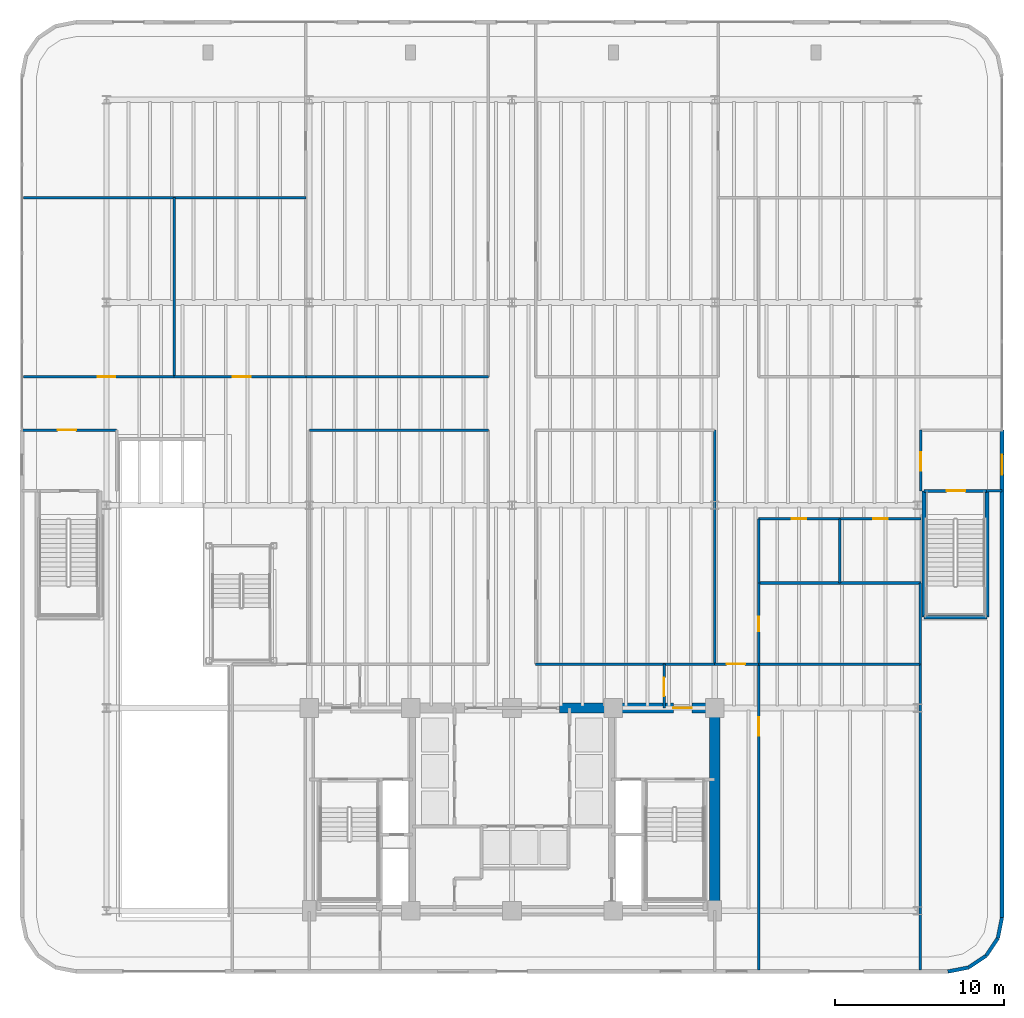
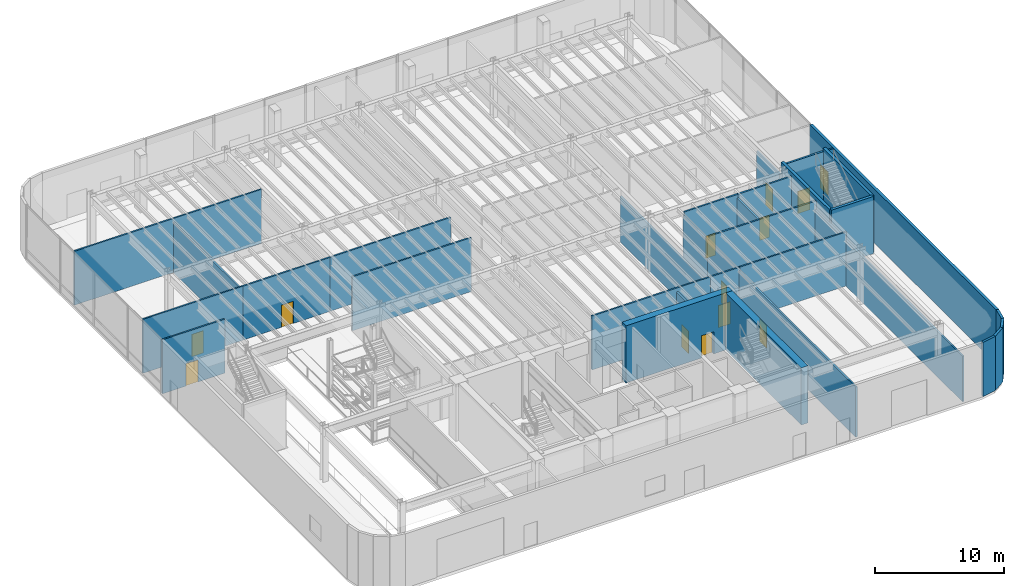
# One storey, part 9 of 17: 34 walls, 13 doors, 13 openings.
"""IFC4 building model written with IfcOpenShell, lengths in metres."""

from ifc_helpers import new_model, si_unit, direction, frame, frame_2d, origin, origin_2d, place, context, subcontext, project, spatial, rectangle, extrude, source, transform, mapped, material, layer, layer_set, type_object, element, fill, save


model = new_model("IFC4")

# Units and contexts
model_context = context("Model", 3, precision=1e-05, world=origin(), true_north=direction((0.0, 1.0)))
body_context = subcontext(model_context, "Body", "Model", "MODEL_VIEW")
ifc_project = project(units=[si_unit("LENGTHUNIT", "METRE"), si_unit("AREAUNIT", "SQUARE_METRE"), si_unit("VOLUMEUNIT", "CUBIC_METRE"), si_unit("PLANEANGLEUNIT", "RADIAN"), si_unit("MASSUNIT", "GRAM", prefix="KILO")], contexts=[model_context])

# Site, building, storey
site_placement = place(None, origin())
site = spatial("IfcSite", under=ifc_project, at=site_placement, CompositionType="ELEMENT")
building_placement = place(site_placement, origin())
building = spatial("IfcBuilding", under=site, at=building_placement, Name="Brelvock Crest Care Tower", CompositionType="ELEMENT")
storey_placement = place(building_placement, origin())
storey = spatial("IfcBuildingStorey", under=building, at=storey_placement, Name="L00", CompositionType="ELEMENT", Elevation=0.0)

# Wall
ifc_material_1 = material(Name="Concrete S80 (80 MPa)", Category="concrete")
ifc_layer_1 = layer(ifc_material_1, 0.60009765625, Name="WL-CS1")
ifc_layer_set_1 = layer_set([ifc_layer_1], Name="Concrete S80 (80 MPa)")
wall_type_1 = type_object("IfcWallType", Name="WL-CS1", PredefinedType="SHEAR", material=ifc_layer_set_1)
wall_1_placement = place(storey_placement, frame((48.0, 18.0, 0.0), z_axis=(0.0, 0.0, 1.0), x_axis=(0.0, -1.0, 0.0)))
element("IfcWall", 1, at=wall_1_placement, inside=storey, type_object=wall_type_1, Name="L00 Core East Shear Wall", PredefinedType="SHEAR", context=body_context, shape_type="SweptSolid", body=[
    extrude(rectangle(XDim=12.0, YDim=0.60009765625, at=frame_2d((6.0, 0.0))), origin(), (0.0, 0.0, 1.0), 5.39990234375),
])

# Wall, opening, door
wall_2_placement = place(storey_placement, frame((38.800048828125, 18.0, 0.0), z_axis=(0.0, 0.0, 1.0), x_axis=(1.0, 0.0, 0.0)))
wall_2 = element("IfcWall", 2, at=wall_2_placement, inside=storey, type_object=wall_type_1, Name="L00 Core North-East Shear Wall", PredefinedType="SHEAR", context=body_context, shape_type="SweptSolid", body=[
    extrude(rectangle(XDim=9.5, YDim=0.60009765625, at=frame_2d((4.75, 0.0))), origin(), (0.0, 0.0, 1.0), 5.39990234375),
])
opening_1_placement = place(wall_2_placement, frame((6.75, 0.0, 0.0)))
opening_1 = element("IfcOpeningElement", 3, at=opening_1_placement, cuts=wall_2, Name="Opening FD-1", PredefinedType="OPENING", context=body_context, shape_type="SweptSolid", body=[
    extrude(rectangle(XDim=1.10009765625, YDim=2.10009765625, at=origin_2d()), frame((0.550048828125, 0.31005859375, 1.050048828125), z_axis=(0.0, -1.0, 0.0), x_axis=(1.0, 0.0, 0.0)), (0.0, 0.0, 1.0), 0.6201171875),
])
ifc_material_2 = material(Name="Steel Grade 350", Category="steel")
door_type_1 = type_object("IfcDoorType", Name="DR-FFL1", OperationType="NOTDEFINED", PredefinedType="DOOR", material=ifc_material_2)
shared_shape_1 = source(origin(), body_context, "Body", "SweptSolid", [
    extrude(rectangle(XDim=1.10009765625, YDim=2.10009765625, at=origin_2d()), frame((0.550048828125, 0.02490234375, 1.050048828125), z_axis=(0.0, -1.0, 0.0), x_axis=(1.0, 0.0, 0.0)), (0.0, 0.0, 1.0), 0.050048828125),
])
door_1_placement = place(opening_1_placement, origin())
door_1 = element("IfcDoor", 4, at=door_1_placement, inside=storey, type_object=door_type_1, Name="L00 Firefighting Lobby FFL-2 Exit Door", OperationType="SINGLE_SWING_RIGHT", OverallHeight=2.10009765625, OverallWidth=1.10009765625, PredefinedType="DOOR", context=body_context, shape_type="MappedRepresentation", body=[
    mapped(shared_shape_1, transform((0.0, 0.0, 0.0), x_axis=(1.0, 0.0, 0.0), y_axis=(0.0, 1.0, 0.0), z_axis=(0.0, 0.0, 1.0), scale=1.0)),
])
fill(opening_1, door_1)

# Walls
ifc_layer_2 = layer(ifc_material_1, 0.25, Name="WL-CS6")
ifc_layer_set_2 = layer_set([ifc_layer_2], Name="Concrete S80 (80 MPa)")
wall_type_2 = type_object("IfcWallType", Name="WL-CS6", PredefinedType="SHEAR", material=ifc_layer_set_2)
wall_3_placement = place(storey_placement, frame((60.3798828125, 23.3798828125, 0.0), z_axis=(0.0, 0.0, 1.0), x_axis=(1.0, 0.0, 0.0)))
element("IfcWall", 5, at=wall_3_placement, inside=storey, type_object=wall_type_2, Name="L00 Podium Stair ST-4 South Shear Wall", PredefinedType="SHEAR", context=body_context, shape_type="SweptSolid", body=[
    extrude(rectangle(XDim=3.740234375, YDim=0.25, at=frame_2d((1.8701171875, 0.0))), origin(), (0.0, 0.0, 1.0), 5.39990234375),
])
for number, where, z_axis, x_axis, name in (
    (6, (60.3798828125, 23.3798828125, 0.0), (0.0, 0.0, 1.0), (0.0, 1.0, 0.0), "L00 Podium Stair ST-4 West Shear Wall"),
    (7, (64.1201171875, 23.3798828125, 0.0), (0.0, 0.0, 1.0), (0.0, 1.0, 0.0), "L00 Podium Stair ST-4 East Shear Wall"),
):
    element("IfcWall", number, at=place(storey_placement, frame(where, z_axis=z_axis, x_axis=x_axis)), inside=storey, type_object=wall_type_2, Name=name, PredefinedType="SHEAR", context=body_context, shape_type="SweptSolid", body=[
        extrude(rectangle(XDim=7.47021484375, YDim=0.25, at=frame_2d((3.735107421875, 0.0))), origin(), (0.0, 0.0, 1.0), 5.39990234375),
    ])

# Wall, opening, door
ifc_material_3 = material(Name="Precast concrete N40 (40 MPa)", Category="concrete")
ifc_layer_3 = layer(ifc_material_3, 0.239990234375, Name="WL-EX1")
ifc_layer_set_3 = layer_set([ifc_layer_3], Name="Precast concrete N40 (40 MPa)")
wall_type_3 = type_object("IfcWallType", Name="WL-EX1", PredefinedType="SOLIDWALL", material=ifc_layer_set_3)
wall_4_placement = place(storey_placement, frame((65.0, 34.449951171875, 0.0), z_axis=(0.0, 0.0, 1.0), x_axis=(0.0, -1.0, 0.0)))
wall_4 = element("IfcWall", 8, at=wall_4_placement, inside=storey, type_object=wall_type_3, Name="L00 Exterior Spandrel Wall WL-EX-L00-ES", PredefinedType="SOLIDWALL", context=body_context, shape_type="SweptSolid", body=[
    extrude(rectangle(XDim=28.849853515625, YDim=0.239990234375, at=frame_2d((14.4248046875, 0.0))), origin(), (0.0, 0.0, 1.0), 5.1201171875),
])
opening_2_placement = place(wall_4_placement, frame((1.449951171875, 0.0, 0.0)))
opening_2 = element("IfcOpeningElement", 9, at=opening_2_placement, cuts=wall_4, Name="Opening ED-2", PredefinedType="OPENING", context=body_context, shape_type="SweptSolid", body=[
    extrude(rectangle(XDim=1.199951171875, YDim=2.199951171875, at=origin_2d()), frame((0.60009765625, 0.1298828125, 1.10009765625), z_axis=(0.0, -1.0, 0.0), x_axis=(1.0, 0.0, 0.0)), (0.0, 0.0, 1.0), 0.260009765625),
])
ifc_material_4 = material(Name="Aluminium 6063-T6", Category="aluminium")
door_type_2 = type_object("IfcDoorType", Name="DR-EX2", OperationType="NOTDEFINED", PredefinedType="DOOR", material=ifc_material_4)
shared_shape_2 = source(origin(), body_context, "Body", "SweptSolid", [
    extrude(rectangle(XDim=1.199951171875, YDim=2.199951171875, at=origin_2d()), frame((0.60009765625, 0.02490234375, 1.10009765625), z_axis=(0.0, -1.0, 0.0), x_axis=(1.0, 0.0, 0.0)), (0.0, 0.0, 1.0), 0.050048828125),
])
door_2_placement = place(opening_2_placement, origin())
door_2 = element("IfcDoor", 10, at=door_2_placement, inside=storey, type_object=door_type_2, Name="L00 Podium Stair ST-4 Final Exit E6", OperationType="SINGLE_SWING_RIGHT", OverallHeight=2.199951171875, OverallWidth=1.199951171875, PredefinedType="DOOR", context=body_context, shape_type="MappedRepresentation", body=[
    mapped(shared_shape_2, transform((0.0, 0.0, 0.0), x_axis=(1.0, 0.0, 0.0), y_axis=(0.0, 1.0, 0.0), z_axis=(0.0, 0.0, 1.0), scale=1.0)),
])
fill(opening_2, door_2)

# Walls
ifc_layer_4 = layer(ifc_material_3, 0.215087890625, Name="WL-EX2")
ifc_layer_set_4 = layer_set([ifc_layer_4], Name="Precast concrete N40 (40 MPa)")
wall_type_4 = type_object("IfcWallType", Name="WL-EX2", PredefinedType="SOLIDWALL", material=ifc_layer_set_4)
for number, where, z_axis, x_axis, name in (
    (11, (65.0, 5.60009765625, 0.0), (0.0, 0.0, 1.0), (-0.195138390419, -0.980775717779, 0.0), "L00 Corner Pier 15"),
    (12, (64.75634765625, 4.37548828125, 0.0), (0.0, 0.0, 1.0), (-0.555557312883, -0.831478245117, 0.0), "L00 Corner Pier 16"),
    (13, (64.062744140625, 3.33740234375, 0.0), (0.0, 0.0, 1.0), (-0.831387912822, -0.555692485475, 0.0), "L00 Corner Pier 17"),
    (14, (63.024658203125, 2.6435546875, 0.0), (0.0, 0.0, 1.0), (-0.980775717779, -0.195138390419, 0.0), "L00 Corner Pier 18"),
):
    element("IfcWall", number, at=place(storey_placement, frame(where, z_axis=z_axis, x_axis=x_axis)), inside=storey, type_object=wall_type_4, Name=name, PredefinedType="SOLIDWALL", context=body_context, shape_type="SweptSolid", body=[
        extrude(rectangle(XDim=1.24853515625, YDim=0.215087890625, at=frame_2d((0.624267578125, 0.0))), origin(), (0.0, 0.0, 1.0), 5.1201171875),
    ])
ifc_material_5 = material(Name="Masonry Blockwork Acoustic Partition", Category="masonry")
ifc_layer_5 = layer(ifc_material_5, 0.14990234375, Name="WL-INT1")
ifc_layer_set_5 = layer_set([ifc_layer_5], Name="Masonry Blockwork Acoustic Partition")
wall_type_5 = type_object("IfcWallType", Name="WL-INT1", PredefinedType="PARTITIONING", material=ifc_layer_set_5)
wall_5_placement = place(storey_placement, frame((37.39990234375, 20.60009765625, 0.0), z_axis=(0.0, 0.0, 1.0), x_axis=(1.0, 0.0, 0.0)))
element("IfcWall", 15, at=wall_5_placement, inside=storey, type_object=wall_type_5, Name="L00 Interior Wall WL-BX-L00-ADM-S", PredefinedType="PARTITIONING", context=body_context, shape_type="SweptSolid", body=[
    extrude(rectangle(XDim=10.60009765625, YDim=0.14990234375, at=frame_2d((5.300048828125, 0.0))), origin(), (0.0, 0.0, 1.0), 5.090087890625),
])

# Wall, opening, door
wall_6_placement = place(storey_placement, frame((48.0, 20.60009765625, 0.0), z_axis=(0.0, 0.0, 1.0), x_axis=(1.0, 0.0, 0.0)))
wall_6 = element("IfcWall", 16, at=wall_6_placement, inside=storey, type_object=wall_type_5, Name="L00 Interior Wall WL-L00-EX2N", PredefinedType="PARTITIONING", context=body_context, shape_type="SweptSolid", body=[
    extrude(rectangle(XDim=2.60009765625, YDim=0.14990234375, at=frame_2d((1.300048828125, 0.0))), origin(), (0.0, 0.0, 1.0), 5.090087890625),
])
opening_3_placement = place(wall_6_placement, frame((0.699951171875, 0.0, 0.0)))
opening_3 = element("IfcOpeningElement", 17, at=opening_3_placement, cuts=wall_6, Name="Opening SD-1", PredefinedType="OPENING", context=body_context, shape_type="SweptSolid", body=[
    extrude(rectangle(XDim=1.10009765625, YDim=2.10009765625, at=origin_2d()), frame((0.550048828125, 0.0849609375, 1.050048828125), z_axis=(0.0, -1.0, 0.0), x_axis=(1.0, 0.0, 0.0)), (0.0, 0.0, 1.0), 0.169921875),
])
door_type_3 = type_object("IfcDoorType", Name="DR-ST1", OperationType="NOTDEFINED", PredefinedType="DOOR", material=ifc_material_2)
shared_shape_3 = source(origin(), body_context, "Body", "SweptSolid", [
    extrude(rectangle(XDim=1.10009765625, YDim=2.10009765625, at=origin_2d()), frame((0.550048828125, 0.02490234375, 1.050048828125), z_axis=(0.0, -1.0, 0.0), x_axis=(1.0, 0.0, 0.0)), (0.0, 0.0, 1.0), 0.050048828125),
])
door_3_placement = place(opening_3_placement, origin())
door_3 = element("IfcDoor", 18, at=door_3_placement, inside=storey, type_object=door_type_3, Name="L00 Protected Exit ST-2 East Concourse Door", OperationType="SINGLE_SWING_LEFT", OverallHeight=2.10009765625, OverallWidth=1.10009765625, PredefinedType="DOOR", context=body_context, shape_type="MappedRepresentation", body=[
    mapped(shared_shape_3, transform((0.0, 0.0, 0.0), x_axis=(1.0, 0.0, 0.0), y_axis=(0.0, 1.0, 0.0), z_axis=(0.0, 0.0, 1.0), scale=1.0)),
])
fill(opening_3, door_3)

# Walls
wall_7_placement = place(storey_placement, frame((50.60009765625, 20.60009765625, 0.0), z_axis=(0.0, 0.0, 1.0), x_axis=(1.0, 0.0, 0.0)))
element("IfcWall", 19, at=wall_7_placement, inside=storey, type_object=wall_type_5, Name="L00 Interior Wall WL-BX-L00-LDK-N", PredefinedType="PARTITIONING", context=body_context, shape_type="SweptSolid", body=[
    extrude(rectangle(XDim=9.5498046875, YDim=0.14990234375, at=frame_2d((4.77490234375, 0.0))), origin(), (0.0, 0.0, 1.0), 5.090087890625),
])
wall_8_placement = place(storey_placement, frame((64.080078125, 30.85009765625, 0.0), z_axis=(0.0, 0.0, 1.0), x_axis=(1.0, 0.0, 0.0)))
element("IfcWall", 20, at=wall_8_placement, inside=storey, type_object=wall_type_5, Name="L00 Interior Wall WL-L00-EX4SE", PredefinedType="PARTITIONING", context=body_context, shape_type="SweptSolid", body=[
    extrude(rectangle(XDim=0.919921875, YDim=0.14990234375, at=frame_2d((0.4599609375, 0.0))), origin(), (0.0, 0.0, 1.0), 5.090087890625),
])

# Wall, opening, door
wall_9_placement = place(storey_placement, frame((7.0, 34.449951171875, 0.0), z_axis=(0.0, 0.0, 1.0), x_axis=(1.0, 0.0, 0.0)))
wall_9 = element("IfcWall", 21, at=wall_9_placement, inside=storey, type_object=wall_type_5, Name="L00 Interior Wall WL-L00-EX3N", PredefinedType="PARTITIONING", context=body_context, shape_type="SweptSolid", body=[
    extrude(rectangle(XDim=5.60009765625, YDim=0.14990234375, at=frame_2d((2.800048828125, 0.0))), origin(), (0.0, 0.0, 1.0), 5.090087890625),
])
opening_4_placement = place(wall_9_placement, frame((2.10009765625, 0.0, 0.0)))
opening_4 = element("IfcOpeningElement", 22, at=opening_4_placement, cuts=wall_9, Name="Opening SD-1", PredefinedType="OPENING", context=body_context, shape_type="SweptSolid", body=[
    extrude(rectangle(XDim=1.10009765625, YDim=2.10009765625, at=origin_2d()), frame((0.550048828125, 0.0849609375, 1.050048828125), z_axis=(0.0, -1.0, 0.0), x_axis=(1.0, 0.0, 0.0)), (0.0, 0.0, 1.0), 0.169921875),
])
door_4_placement = place(opening_4_placement, origin())
door_4 = element("IfcDoor", 23, at=door_4_placement, inside=storey, type_object=door_type_3, Name="L00 Protected Exit ST-3 Concourse Door", OperationType="SINGLE_SWING_LEFT", OverallHeight=2.10009765625, OverallWidth=1.10009765625, PredefinedType="DOOR", context=body_context, shape_type="MappedRepresentation", body=[
    mapped(shared_shape_3, transform((0.0, 0.0, 0.0), x_axis=(1.0, 0.0, 0.0), y_axis=(0.0, 1.0, 0.0), z_axis=(0.0, 0.0, 1.0), scale=1.0)),
])
fill(opening_4, door_4)

# Wall
wall_10_placement = place(storey_placement, frame((24.0, 34.449951171875, 0.0), z_axis=(0.0, 0.0, 1.0), x_axis=(1.0, 0.0, 0.0)))
element("IfcWall", 24, at=wall_10_placement, inside=storey, type_object=wall_type_5, Name="L00 Interior Wall WL-BX-L00-REC-N", PredefinedType="PARTITIONING", context=body_context, shape_type="SweptSolid", body=[
    extrude(rectangle(XDim=10.60009765625, YDim=0.14990234375, at=frame_2d((5.300048828125, 0.0))), origin(), (0.0, 0.0, 1.0), 5.090087890625),
])

# Wall, opening, door
wall_11_placement = place(storey_placement, frame((7.080078125, 37.60009765625, 0.0), z_axis=(0.0, 0.0, 1.0), x_axis=(1.0, 0.0, 0.0)))
wall_11 = element("IfcWall", 25, at=wall_11_placement, inside=storey, type_object=wall_type_5, Name="L00 Interior Wall WL-RM-L00-PHM1", PredefinedType="PARTITIONING", context=body_context, shape_type="SweptSolid", body=[
    extrude(rectangle(XDim=8.919921875, YDim=0.14990234375, at=frame_2d((4.4599609375, 0.0))), origin(), (0.0, 0.0, 1.0), 5.090087890625),
])
opening_5_placement = place(wall_11_placement, frame((4.39501953125, 0.0, 0.0)))
opening_5 = element("IfcOpeningElement", 26, at=opening_5_placement, cuts=wall_11, Name="Opening CLD-1", PredefinedType="OPENING", context=body_context, shape_type="SweptSolid", body=[
    extrude(rectangle(XDim=1.050048828125, YDim=2.10009765625, at=origin_2d()), frame((0.52490234375, 0.0849609375, 1.050048828125), z_axis=(0.0, -1.0, 0.0), x_axis=(1.0, 0.0, 0.0)), (0.0, 0.0, 1.0), 0.169921875),
])
ifc_material_6 = material(Name="Engineered Hardwood Timber", Category="wood")
door_type_4 = type_object("IfcDoorType", Name="DR-CLN1", OperationType="NOTDEFINED", PredefinedType="DOOR", material=ifc_material_6)
shared_shape_4 = source(origin(), body_context, "Body", "SweptSolid", [
    extrude(rectangle(XDim=1.050048828125, YDim=2.10009765625, at=origin_2d()), frame((0.52490234375, 0.02490234375, 1.050048828125), z_axis=(0.0, -1.0, 0.0), x_axis=(1.0, 0.0, 0.0)), (0.0, 0.0, 1.0), 0.050048828125),
])
door_5_placement = place(opening_5_placement, origin())
door_5 = element("IfcDoor", 27, at=door_5_placement, inside=storey, type_object=door_type_4, Name="L00 Precinct Dispensary Pharmacy Door PHM1", OperationType="SINGLE_SWING_LEFT", OverallHeight=2.10009765625, OverallWidth=1.050048828125, PredefinedType="DOOR", context=body_context, shape_type="MappedRepresentation", body=[
    mapped(shared_shape_4, transform((0.0, 0.0, 0.0), x_axis=(1.0, 0.0, 0.0), y_axis=(0.0, 1.0, 0.0), z_axis=(0.0, 0.0, 1.0), scale=1.0)),
])
fill(opening_5, door_5)

wall_12_placement = place(storey_placement, frame((16.0, 37.60009765625, 0.0), z_axis=(0.0, 0.0, 1.0), x_axis=(1.0, 0.0, 0.0)))
wall_12 = element("IfcWall", 28, at=wall_12_placement, inside=storey, type_object=wall_type_5, Name="L00 Interior Wall WL-RM-L00-PHM2", PredefinedType="PARTITIONING", context=body_context, shape_type="SweptSolid", body=[
    extrude(rectangle(XDim=7.800048828125, YDim=0.14990234375, at=frame_2d((3.89990234375, 0.0))), origin(), (0.0, 0.0, 1.0), 5.090087890625),
])
opening_6_placement = place(wall_12_placement, frame((3.47509765625, 0.0, 0.0)))
opening_6 = element("IfcOpeningElement", 29, at=opening_6_placement, cuts=wall_12, Name="Opening CLD-1", PredefinedType="OPENING", context=body_context, shape_type="SweptSolid", body=[
    extrude(rectangle(XDim=1.050048828125, YDim=2.10009765625, at=origin_2d()), frame((0.52490234375, 0.0849609375, 1.050048828125), z_axis=(0.0, -1.0, 0.0), x_axis=(1.0, 0.0, 0.0)), (0.0, 0.0, 1.0), 0.169921875),
])
door_6_placement = place(opening_6_placement, origin())
door_6 = element("IfcDoor", 30, at=door_6_placement, inside=storey, type_object=door_type_4, Name="L00 Allied Optical and Hearing Door PHM2", OperationType="SINGLE_SWING_LEFT", OverallHeight=2.10009765625, OverallWidth=1.050048828125, PredefinedType="DOOR", context=body_context, shape_type="MappedRepresentation", body=[
    mapped(shared_shape_4, transform((0.0, 0.0, 0.0), x_axis=(1.0, 0.0, 0.0), y_axis=(0.0, 1.0, 0.0), z_axis=(0.0, 0.0, 1.0), scale=1.0)),
])
fill(opening_6, door_6)

# Walls
wall_13_placement = place(storey_placement, frame((23.800048828125, 37.60009765625, 0.0), z_axis=(0.0, 0.0, 1.0), x_axis=(1.0, 0.0, 0.0)))
element("IfcWall", 31, at=wall_13_placement, inside=storey, type_object=wall_type_5, Name="L00 Interior Wall WL-BX-L00-MWT-S", PredefinedType="PARTITIONING", context=body_context, shape_type="SweptSolid", body=[
    extrude(rectangle(XDim=10.800048828125, YDim=0.14990234375, at=frame_2d((5.39990234375, 0.0))), origin(), (0.0, 0.0, 1.0), 5.090087890625),
])
wall_14_placement = place(storey_placement, frame((7.080078125, 48.199951171875, 0.0), z_axis=(0.0, 0.0, 1.0), x_axis=(1.0, 0.0, 0.0)))
element("IfcWall", 32, at=wall_14_placement, inside=storey, type_object=wall_type_5, Name="L00 Interior Wall WL-BX-L00-PHM3-S", PredefinedType="PARTITIONING", context=body_context, shape_type="SweptSolid", body=[
    extrude(rectangle(XDim=16.719970703125, YDim=0.14990234375, at=frame_2d((8.35986328125, 0.0))), origin(), (0.0, 0.0, 1.0), 5.090087890625),
])
wall_15_placement = place(storey_placement, frame((16.0, 37.60009765625, 0.0), z_axis=(0.0, 0.0, 1.0), x_axis=(0.0, 1.0, 0.0)))
element("IfcWall", 33, at=wall_15_placement, inside=storey, type_object=wall_type_5, Name="L00 Interior Wall WL-BX-L00-PHM1-E", PredefinedType="PARTITIONING", context=body_context, shape_type="SweptSolid", body=[
    extrude(rectangle(XDim=10.599853515625, YDim=0.14990234375, at=frame_2d((5.2998046875, 0.0))), origin(), (0.0, 0.0, 1.0), 4.74609375),
])

# Wall, opening, door
wall_16_placement = place(storey_placement, frame((45.0, 18.0, 0.0), z_axis=(0.0, 0.0, 1.0), x_axis=(0.0, 1.0, 0.0)))
wall_16 = element("IfcWall", 34, at=wall_16_placement, inside=storey, type_object=wall_type_5, Name="L00 Interior Wall WL-L00-EX2W", PredefinedType="PARTITIONING", context=body_context, shape_type="SweptSolid", body=[
    extrude(rectangle(XDim=2.60009765625, YDim=0.14990234375, at=frame_2d((1.300048828125, 0.0))), origin(), (0.0, 0.0, 1.0), 4.74609375),
])
opening_7_placement = place(wall_16_placement, frame((0.699951171875, 0.0, 0.0)))
opening_7 = element("IfcOpeningElement", 35, at=opening_7_placement, cuts=wall_16, Name="Opening SD-1", PredefinedType="OPENING", context=body_context, shape_type="SweptSolid", body=[
    extrude(rectangle(XDim=1.10009765625, YDim=2.10009765625, at=origin_2d()), frame((0.550048828125, 0.0849609375, 1.050048828125), z_axis=(0.0, -1.0, 0.0), x_axis=(1.0, 0.0, 0.0)), (0.0, 0.0, 1.0), 0.169921875),
])
door_7_placement = place(opening_7_placement, origin())
door_7 = element("IfcDoor", 36, at=door_7_placement, inside=storey, type_object=door_type_3, Name="L00 Protected Exit ST-2 Core Lobby Door", OperationType="SINGLE_SWING_RIGHT", OverallHeight=2.10009765625, OverallWidth=1.10009765625, PredefinedType="DOOR", context=body_context, shape_type="MappedRepresentation", body=[
    mapped(shared_shape_3, transform((0.0, 0.0, 0.0), x_axis=(1.0, 0.0, 0.0), y_axis=(0.0, 1.0, 0.0), z_axis=(0.0, 0.0, 1.0), scale=1.0)),
])
fill(opening_7, door_7)

# Wall
wall_17_placement = place(storey_placement, frame((48.0, 20.60009765625, 0.0), z_axis=(0.0, 0.0, 1.0), x_axis=(0.0, 1.0, 0.0)))
element("IfcWall", 37, at=wall_17_placement, inside=storey, type_object=wall_type_5, Name="L00 Interior Wall WL-BX-L00-ADM-E", PredefinedType="PARTITIONING", context=body_context, shape_type="SweptSolid", body=[
    extrude(rectangle(XDim=13.849853515625, YDim=0.14990234375, at=frame_2d((6.9248046875, 0.0))), origin(), (0.0, 0.0, 1.0), 4.304931640625),
])

# Wall, opening, door
wall_18_placement = place(storey_placement, frame((50.60009765625, 2.47998046875, 0.0), z_axis=(0.0, 0.0, 1.0), x_axis=(0.0, 1.0, 0.0)))
wall_18 = element("IfcWall", 38, at=wall_18_placement, inside=storey, type_object=wall_type_5, Name="L00 Interior Wall WL-RM-L00-LDK", PredefinedType="PARTITIONING", context=body_context, shape_type="SweptSolid", body=[
    extrude(rectangle(XDim=18.1201171875, YDim=0.14990234375, at=frame_2d((9.06005859375, 0.0))), origin(), (0.0, 0.0, 1.0), 4.74609375),
])
opening_8_placement = place(wall_18_placement, frame((13.8701171875, 0.0, 0.0)))
opening_8 = element("IfcOpeningElement", 39, at=opening_8_placement, cuts=wall_18, Name="Opening PD-1", PredefinedType="OPENING", context=body_context, shape_type="SweptSolid", body=[
    extrude(rectangle(XDim=1.10009765625, YDim=2.10009765625, at=origin_2d()), frame((0.550048828125, 0.0849609375, 1.050048828125), z_axis=(0.0, -1.0, 0.0), x_axis=(1.0, 0.0, 0.0)), (0.0, 0.0, 1.0), 0.169921875),
])
door_type_5 = type_object("IfcDoorType", Name="DR-PLT1", OperationType="NOTDEFINED", PredefinedType="DOOR", material=ifc_material_2)
shared_shape_5 = source(origin(), body_context, "Body", "SweptSolid", [
    extrude(rectangle(XDim=1.10009765625, YDim=2.10009765625, at=origin_2d()), frame((0.550048828125, 0.02490234375, 1.050048828125), z_axis=(0.0, -1.0, 0.0), x_axis=(1.0, 0.0, 0.0)), (0.0, 0.0, 1.0), 0.050048828125),
])
door_8_placement = place(opening_8_placement, origin())
door_8 = element("IfcDoor", 40, at=door_8_placement, inside=storey, type_object=door_type_5, Name="L00 Loading Dock and Refuse Bay Door LDK", OperationType="SINGLE_SWING_LEFT", OverallHeight=2.10009765625, OverallWidth=1.10009765625, PredefinedType="DOOR", context=body_context, shape_type="MappedRepresentation", body=[
    mapped(shared_shape_5, transform((0.0, 0.0, 0.0), x_axis=(1.0, 0.0, 0.0), y_axis=(0.0, 1.0, 0.0), z_axis=(0.0, 0.0, 1.0), scale=1.0)),
])
fill(opening_8, door_8)

wall_19_placement = place(storey_placement, frame((50.60009765625, 20.60009765625, 0.0), z_axis=(0.0, 0.0, 1.0), x_axis=(0.0, 1.0, 0.0)))
wall_19 = element("IfcWall", 41, at=wall_19_placement, inside=storey, type_object=wall_type_5, Name="L00 Interior Wall WL-RM-L00-STRG", PredefinedType="PARTITIONING", context=body_context, shape_type="SweptSolid", body=[
    extrude(rectangle(XDim=4.7998046875, YDim=0.14990234375, at=frame_2d((2.39990234375, 0.0))), origin(), (0.0, 0.0, 1.0), 4.74609375),
])
opening_9_placement = place(wall_19_placement, frame((1.93994140625, 0.0, 0.0)))
opening_9 = element("IfcOpeningElement", 42, at=opening_9_placement, cuts=wall_19, Name="Opening ID-1", PredefinedType="OPENING", context=body_context, shape_type="SweptSolid", body=[
    extrude(rectangle(XDim=0.860107421875, YDim=2.10009765625, at=origin_2d()), frame((0.43017578125, 0.0849609375, 1.050048828125), z_axis=(0.0, -1.0, 0.0), x_axis=(1.0, 0.0, 0.0)), (0.0, 0.0, 1.0), 0.169921875),
])
door_type_6 = type_object("IfcDoorType", Name="DR-INT1", OperationType="NOTDEFINED", PredefinedType="DOOR", material=ifc_material_6)
shared_shape_6 = source(origin(), body_context, "Body", "SweptSolid", [
    extrude(rectangle(XDim=0.860107421875, YDim=2.10009765625, at=origin_2d()), frame((0.43017578125, 0.02490234375, 1.050048828125), z_axis=(0.0, -1.0, 0.0), x_axis=(1.0, 0.0, 0.0)), (0.0, 0.0, 1.0), 0.050048828125),
])
door_9_placement = place(opening_9_placement, origin())
door_9 = element("IfcDoor", 43, at=door_9_placement, inside=storey, type_object=door_type_6, Name="L00 Concourse Luggage and Mobility Door STRG", OperationType="SINGLE_SWING_LEFT", OverallHeight=2.10009765625, OverallWidth=0.860107421875, PredefinedType="DOOR", context=body_context, shape_type="MappedRepresentation", body=[
    mapped(shared_shape_6, transform((0.0, 0.0, 0.0), x_axis=(1.0, 0.0, 0.0), y_axis=(0.0, 1.0, 0.0), z_axis=(0.0, 0.0, 1.0), scale=1.0)),
])
fill(opening_9, door_9)

# Walls
wall_20_placement = place(storey_placement, frame((60.14990234375, 2.47998046875, 0.0), z_axis=(0.0, 0.0, 1.0), x_axis=(0.0, 1.0, 0.0)))
element("IfcWall", 44, at=wall_20_placement, inside=storey, type_object=wall_type_5, Name="L00 Interior Wall WL-BX-L00-LDK-E", PredefinedType="PARTITIONING", context=body_context, shape_type="SweptSolid", body=[
    extrude(rectangle(XDim=18.1201171875, YDim=0.14990234375, at=frame_2d((9.06005859375, 0.0))), origin(), (0.0, 0.0, 1.0), 4.304931640625),
])
wall_21_placement = place(storey_placement, frame((60.14990234375, 20.60009765625, 0.0), z_axis=(0.0, 0.0, 1.0), x_axis=(0.0, 1.0, 0.0)))
element("IfcWall", 45, at=wall_21_placement, inside=storey, type_object=wall_type_5, Name="L00 Interior Wall WL-BX-L00-STRG-E", PredefinedType="PARTITIONING", context=body_context, shape_type="SweptSolid", body=[
    extrude(rectangle(XDim=4.7998046875, YDim=0.14990234375, at=frame_2d((2.39990234375, 0.0))), origin(), (0.0, 0.0, 1.0), 4.304931640625),
])

# Wall, opening, door
wall_22_placement = place(storey_placement, frame((60.199951171875, 30.85009765625, 0.0), z_axis=(0.0, 0.0, 1.0), x_axis=(0.0, 1.0, 0.0)))
wall_22 = element("IfcWall", 46, at=wall_22_placement, inside=storey, type_object=wall_type_5, Name="L00 Interior Wall WL-L00-EX4W", PredefinedType="PARTITIONING", context=body_context, shape_type="SweptSolid", body=[
    extrude(rectangle(XDim=3.599853515625, YDim=0.14990234375, at=frame_2d((1.7998046875, 0.0))), origin(), (0.0, 0.0, 1.0), 4.304931640625),
])
opening_10_placement = place(wall_22_placement, frame((1.199951171875, 0.0, 0.0)))
opening_10 = element("IfcOpeningElement", 47, at=opening_10_placement, cuts=wall_22, Name="Opening SD-1", PredefinedType="OPENING", context=body_context, shape_type="SweptSolid", body=[
    extrude(rectangle(XDim=1.10009765625, YDim=2.10009765625, at=origin_2d()), frame((0.550048828125, 0.0849609375, 1.050048828125), z_axis=(0.0, -1.0, 0.0), x_axis=(1.0, 0.0, 0.0)), (0.0, 0.0, 1.0), 0.169921875),
])
door_10_placement = place(opening_10_placement, origin())
door_10 = element("IfcDoor", 48, at=door_10_placement, inside=storey, type_object=door_type_3, Name="L00 Protected Exit ST-4 Concourse Door", OperationType="SINGLE_SWING_RIGHT", OverallHeight=2.10009765625, OverallWidth=1.10009765625, PredefinedType="DOOR", context=body_context, shape_type="MappedRepresentation", body=[
    mapped(shared_shape_3, transform((0.0, 0.0, 0.0), x_axis=(1.0, 0.0, 0.0), y_axis=(0.0, 1.0, 0.0), z_axis=(0.0, 0.0, 1.0), scale=1.0)),
])
fill(opening_10, door_10)

# Wall
ifc_material_7 = material(Name="Gypsum Plasterboard Partition", Category="gypsum")
ifc_layer_6 = layer(ifc_material_7, 0.159912109375, Name="WL-PLM1")
ifc_layer_set_6 = layer_set([ifc_layer_6], Name="Gypsum Plasterboard Partition")
wall_type_6 = type_object("IfcWallType", Name="WL-PLM1", PredefinedType="PLUMBINGWALL", material=ifc_layer_set_6)
wall_23_placement = place(storey_placement, frame((50.60009765625, 25.39990234375, 0.0), z_axis=(0.0, 0.0, 1.0), x_axis=(1.0, 0.0, 0.0)))
element("IfcWall", 49, at=wall_23_placement, inside=storey, type_object=wall_type_6, Name="L00 Interior Wall WL-BX-L00-STRG-N", PredefinedType="PLUMBINGWALL", context=body_context, shape_type="SweptSolid", body=[
    extrude(rectangle(XDim=9.599853515625, YDim=0.159912109375, at=frame_2d((4.7998046875, 0.0))), origin(), (0.0, 0.0, 1.0), 5.090087890625),
])

# Wall, opening, door
wall_24_placement = place(storey_placement, frame((50.60009765625, 29.199951171875, 0.0), z_axis=(0.0, 0.0, 1.0), x_axis=(1.0, 0.0, 0.0)))
wall_24 = element("IfcWall", 50, at=wall_24_placement, inside=storey, type_object=wall_type_6, Name="L00 Interior Wall WL-RM-L00-AWC", PredefinedType="PLUMBINGWALL", context=body_context, shape_type="SweptSolid", body=[
    extrude(rectangle(XDim=4.7998046875, YDim=0.159912109375, at=frame_2d((2.39990234375, 0.0))), origin(), (0.0, 0.0, 1.0), 5.090087890625),
])
opening_11_placement = place(wall_24_placement, frame((1.969970703125, 0.0, 0.0)))
opening_11 = element("IfcOpeningElement", 51, at=opening_11_placement, cuts=wall_24, Name="Opening WD-1", PredefinedType="OPENING", context=body_context, shape_type="SweptSolid", body=[
    extrude(rectangle(XDim=0.860107421875, YDim=2.10009765625, at=origin_2d()), frame((0.43017578125, 0.08984375, 1.050048828125), z_axis=(0.0, -1.0, 0.0), x_axis=(1.0, 0.0, 0.0)), (0.0, 0.0, 1.0), 0.179931640625),
])
door_type_7 = type_object("IfcDoorType", Name="DR-WC1", OperationType="NOTDEFINED", PredefinedType="DOOR", material=ifc_material_6)
shared_shape_7 = source(origin(), body_context, "Body", "SweptSolid", [
    extrude(rectangle(XDim=0.860107421875, YDim=2.10009765625, at=origin_2d()), frame((0.43017578125, 0.02490234375, 1.050048828125), z_axis=(0.0, -1.0, 0.0), x_axis=(1.0, 0.0, 0.0)), (0.0, 0.0, 1.0), 0.050048828125),
])
door_11_placement = place(opening_11_placement, origin())
door_11 = element("IfcDoor", 52, at=door_11_placement, inside=storey, type_object=door_type_7, Name="L00 Concourse Accessible WC Door AWC", OperationType="SINGLE_SWING_LEFT", OverallHeight=2.10009765625, OverallWidth=0.860107421875, PredefinedType="DOOR", context=body_context, shape_type="MappedRepresentation", body=[
    mapped(shared_shape_7, transform((0.0, 0.0, 0.0), x_axis=(1.0, 0.0, 0.0), y_axis=(0.0, 1.0, 0.0), z_axis=(0.0, 0.0, 1.0), scale=1.0)),
])
fill(opening_11, door_11)

wall_25_placement = place(storey_placement, frame((55.39990234375, 29.199951171875, 0.0), z_axis=(0.0, 0.0, 1.0), x_axis=(1.0, 0.0, 0.0)))
wall_25 = element("IfcWall", 53, at=wall_25_placement, inside=storey, type_object=wall_type_6, Name="L00 Interior Wall WL-RM-L00-MWC", PredefinedType="PLUMBINGWALL", context=body_context, shape_type="SweptSolid", body=[
    extrude(rectangle(XDim=4.800048828125, YDim=0.159912109375, at=frame_2d((2.39990234375, 0.0))), origin(), (0.0, 0.0, 1.0), 5.090087890625),
])
opening_12_placement = place(wall_25_placement, frame((1.969970703125, 0.0, 0.0)))
opening_12 = element("IfcOpeningElement", 54, at=opening_12_placement, cuts=wall_25, Name="Opening WD-1", PredefinedType="OPENING", context=body_context, shape_type="SweptSolid", body=[
    extrude(rectangle(XDim=0.860107421875, YDim=2.10009765625, at=origin_2d()), frame((0.43017578125, 0.08984375, 1.050048828125), z_axis=(0.0, -1.0, 0.0), x_axis=(1.0, 0.0, 0.0)), (0.0, 0.0, 1.0), 0.179931640625),
])
door_12_placement = place(opening_12_placement, origin())
door_12 = element("IfcDoor", 55, at=door_12_placement, inside=storey, type_object=door_type_7, Name="L00 Station Public Amenities WC Door MWC", OperationType="SINGLE_SWING_LEFT", OverallHeight=2.10009765625, OverallWidth=0.860107421875, PredefinedType="DOOR", context=body_context, shape_type="MappedRepresentation", body=[
    mapped(shared_shape_7, transform((0.0, 0.0, 0.0), x_axis=(1.0, 0.0, 0.0), y_axis=(0.0, 1.0, 0.0), z_axis=(0.0, 0.0, 1.0), scale=1.0)),
])
fill(opening_12, door_12)

# Walls
for number, where, z_axis, x_axis, name in (
    (56, (50.60009765625, 25.39990234375, 0.0), (0.0, 0.0, 1.0), (0.0, 1.0, 0.0), "L00 Interior Wall WL-BX-L00-AWC-W"),
    (57, (55.39990234375, 25.39990234375, 0.0), (0.0, 0.0, 1.0), (0.0, 1.0, 0.0), "L00 Interior Wall WL-BX-L00-AWC-E"),
):
    element("IfcWall", number, at=place(storey_placement, frame(where, z_axis=z_axis, x_axis=x_axis)), inside=storey, type_object=wall_type_6, Name=name, PredefinedType="PLUMBINGWALL", context=body_context, shape_type="SweptSolid", body=[
        extrude(rectangle(XDim=3.800048828125, YDim=0.159912109375, at=frame_2d((1.89990234375, 0.0))), origin(), (0.0, 0.0, 1.0), 4.74609375),
    ])

# Wall, opening, door
ifc_layer_7 = layer(ifc_material_5, 0.179931640625, Name="WL-SHF1")
ifc_layer_set_7 = layer_set([ifc_layer_7], Name="Masonry Blockwork Acoustic Partition")
wall_type_7 = type_object("IfcWallType", Name="WL-SHF1", PredefinedType="PARTITIONING", material=ifc_layer_set_7)
wall_26_placement = place(storey_placement, frame((60.3798828125, 30.85009765625, 0.0), z_axis=(0.0, 0.0, 1.0), x_axis=(1.0, 0.0, 0.0)))
wall_26 = element("IfcWall", 58, at=wall_26_placement, inside=storey, type_object=wall_type_7, Name="L00 Interior Wall WL-ST4-N-L00", PredefinedType="PARTITIONING", context=body_context, shape_type="SweptSolid", body=[
    extrude(rectangle(XDim=3.740234375, YDim=0.179931640625, at=frame_2d((1.8701171875, 0.0))), origin(), (0.0, 0.0, 1.0), 5.1201171875),
])
opening_13_placement = place(wall_26_placement, frame((1.35009765625, 0.0, 0.0)))
opening_13 = element("IfcOpeningElement", 59, at=opening_13_placement, cuts=wall_26, Name="Opening SD-1", PredefinedType="OPENING", context=body_context, shape_type="SweptSolid", body=[
    extrude(rectangle(XDim=1.10009765625, YDim=2.10009765625, at=origin_2d()), frame((0.550048828125, 0.10009765625, 1.050048828125), z_axis=(0.0, -1.0, 0.0), x_axis=(1.0, 0.0, 0.0)), (0.0, 0.0, 1.0), 0.199951171875),
])
door_13_placement = place(opening_13_placement, origin())
door_13 = element("IfcDoor", 60, at=door_13_placement, inside=storey, type_object=door_type_3, Name="L00 Podium Stair ST-4 Door", OperationType="SINGLE_SWING_RIGHT", OverallHeight=2.10009765625, OverallWidth=1.10009765625, PredefinedType="DOOR", context=body_context, shape_type="MappedRepresentation", body=[
    mapped(shared_shape_3, transform((0.0, 0.0, 0.0), x_axis=(1.0, 0.0, 0.0), y_axis=(0.0, 1.0, 0.0), z_axis=(0.0, 0.0, 1.0), scale=1.0)),
])
fill(opening_13, door_13)

save(model, "model.ifc")
